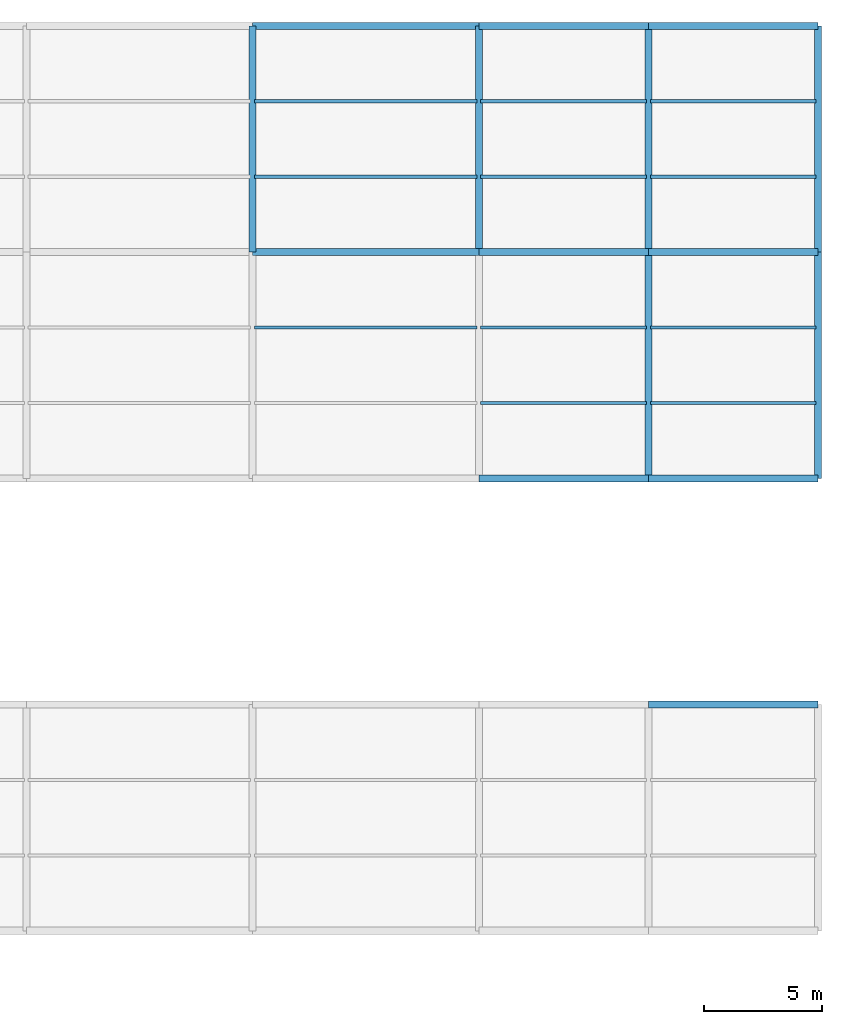
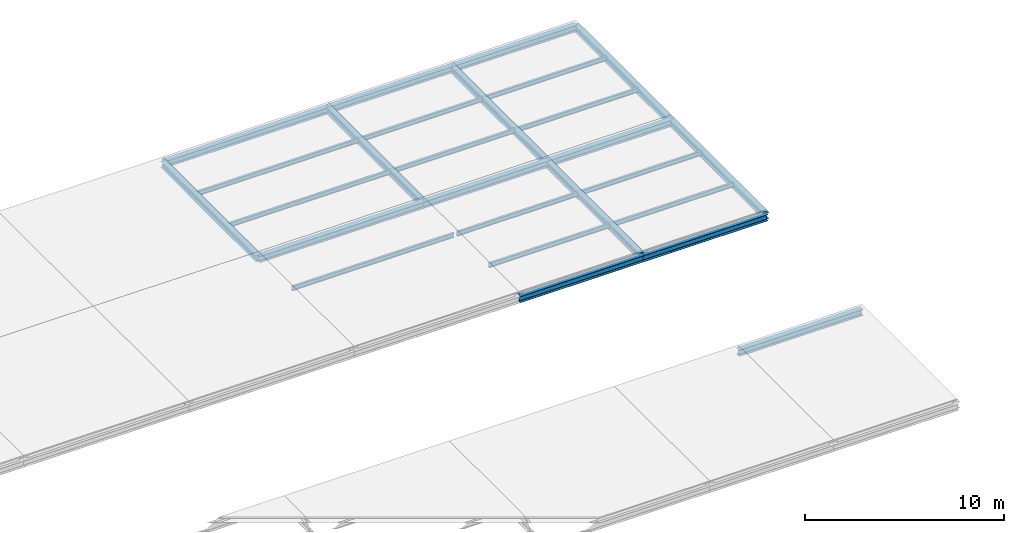
# One storey, part 72 of 120: 26 beams.
"""IFC4 building model written with IfcOpenShell, lengths in metres."""

from ifc_helpers import new_model, si_unit, direction, frame, origin, origin_2d, place, context, subcontext, project, spatial, i_section, extrude, material, material_profile, profile_set, type_object, element, save


model = new_model("IFC4")

# Units and contexts
model_context = context("Model", 3, precision=1e-05, world=origin(), true_north=direction((0.0, 1.0)))
body_context = subcontext(model_context, "Body", "Model", "MODEL_VIEW")
ifc_project = project(units=[si_unit("LENGTHUNIT", "METRE"), si_unit("AREAUNIT", "SQUARE_METRE"), si_unit("VOLUMEUNIT", "CUBIC_METRE"), si_unit("PLANEANGLEUNIT", "RADIAN"), si_unit("MASSUNIT", "GRAM", prefix="KILO")], contexts=[model_context])

# Site, building, storey
site_placement = place(None, origin())
site = spatial("IfcSite", under=ifc_project, at=site_placement, CompositionType="ELEMENT")
building_placement = place(site_placement, origin())
building = spatial("IfcBuilding", under=site, at=building_placement, Name="Zarnetskaya Central Station", CompositionType="ELEMENT")
storey_placement = place(building_placement, frame((0.0, 0.0, 5.39990234375)))
storey = spatial("IfcBuildingStorey", under=building, at=storey_placement, Name="L01", CompositionType="ELEMENT", Elevation=5.39990234375)

# Beams
ifc_material = material(Name="Steel S355", Category="steel")
ifc_material_profile_1 = material_profile(ifc_material, i_section(OverallWidth=0.135009765625, OverallDepth=0.27001953125, WebThickness=0.006591796875, FlangeThickness=0.01025390625, FilletRadius=0.014892578125, at=origin_2d()), Name="IPE 270")
ifc_profile_set_1 = profile_set([ifc_material_profile_1], Name="Steel S355")
beam_type_1 = type_object("IfcBeamType", Name="BM-JST-270", PredefinedType="JOIST", material=ifc_profile_set_1)
for number, where, z_axis, x_axis, name in (
    (1, (163.280029296875, 112.0, -0.294921875), (1.0, 0.0, 0.0), (0.0, 1.0, 0.0), "Secondary floor beam SEC-L01-Z524-TU-1314-2"),
    (2, (163.280029296875, 118.39990234375, -0.294921875), (1.0, 0.0, 0.0), (0.0, 1.0, 0.0), "Secondary floor beam SEC-L01-Z524-TU-1415-1"),
    (3, (163.280029296875, 121.60009765625, -0.294921875), (1.0, 0.0, 0.0), (0.0, 1.0, 0.0), "Secondary floor beam SEC-L01-Z524-TU-1415-2"),
):
    element("IfcBeam", number, at=place(storey_placement, frame(where, z_axis=z_axis, x_axis=x_axis)), inside=storey, type_object=beam_type_1, Name=name, PredefinedType="JOIST", context=body_context, shape_type="SweptSolid", body=[
        extrude(i_section(OverallWidth=0.135009765625, OverallDepth=0.27001953125, WebThickness=0.006591796875, FlangeThickness=0.01025390625, FilletRadius=0.014892578125, at=origin_2d()), origin(), (0.0, 0.0, 1.0), 9.43994140625),
    ])
for number, where, z_axis, x_axis, name in (
    (4, (172.8798828125, 108.800048828125, -0.294921875), (1.0, 0.0, 0.0), (0.0, 1.0, 0.0), "Secondary floor beam SEC-L01-Z524-UV-1314-1"),
    (5, (172.8798828125, 112.0, -0.294921875), (1.0, 0.0, 0.0), (0.0, 1.0, 0.0), "Secondary floor beam SEC-L01-Z524-UV-1314-2"),
    (6, (172.8798828125, 118.39990234375, -0.294921875), (1.0, 0.0, 0.0), (0.0, 1.0, 0.0), "Secondary floor beam SEC-L01-Z524-UV-1415-1"),
    (7, (172.8798828125, 121.60009765625, -0.294921875), (1.0, 0.0, 0.0), (0.0, 1.0, 0.0), "Secondary floor beam SEC-L01-Z524-UV-1415-2"),
    (8, (180.080078125, 108.800048828125, -0.294921875), (1.0, 0.0, 0.0), (0.0, 1.0, 0.0), "Secondary floor beam SEC-L01-Z524-VW-1314-1"),
    (9, (180.080078125, 112.0, -0.294921875), (1.0, 0.0, 0.0), (0.0, 1.0, 0.0), "Secondary floor beam SEC-L01-Z524-VW-1314-2"),
    (10, (180.080078125, 118.39990234375, -0.294921875), (1.0, 0.0, 0.0), (0.0, 1.0, 0.0), "Secondary floor beam SEC-L01-Z524-VW-1415-1"),
    (11, (180.080078125, 121.60009765625, -0.294921875), (1.0, 0.0, 0.0), (0.0, 1.0, 0.0), "Secondary floor beam SEC-L01-Z524-VW-1415-2"),
):
    element("IfcBeam", number, at=place(storey_placement, frame(where, z_axis=z_axis, x_axis=x_axis)), inside=storey, type_object=beam_type_1, Name=name, PredefinedType="JOIST", context=body_context, shape_type="SweptSolid", body=[
        extrude(i_section(OverallWidth=0.135009765625, OverallDepth=0.27001953125, WebThickness=0.006591796875, FlangeThickness=0.01025390625, FilletRadius=0.014892578125, at=origin_2d()), origin(), (0.0, 0.0, 1.0), 7.0400390625),
    ])
ifc_material_profile_2 = material_profile(ifc_material, i_section(OverallWidth=0.300048828125, OverallDepth=0.389892578125, WebThickness=0.010986328125, FlangeThickness=0.01904296875, FilletRadius=0.027099609375, at=origin_2d()), Name="HEA 400")
ifc_profile_set_2 = profile_set([ifc_material_profile_2], Name="Steel S355")
beam_type_2 = type_object("IfcBeamType", Name="GD-ROOF-400", PredefinedType="USERDEFINED", material=ifc_profile_set_2)
for number, where, z_axis, x_axis, name in (
    (12, (163.199951171875, 115.199951171875, -0.35498046875), (0.0, 1.0, 0.0), (-1.0, 0.0, 0.0), "Grid girder GY-L01-T-1415"),
    (13, (163.199951171875, 115.199951171875, -0.35498046875), (1.0, 0.0, 0.0), (0.0, 1.0, 0.0), "Grid girder GX-L01-14-TU"),
    (14, (163.199951171875, 124.800048828125, -0.35498046875), (1.0, 0.0, 0.0), (0.0, 1.0, 0.0), "Grid girder GX-L01-15-TU"),
):
    element("IfcBeam", number, at=place(storey_placement, frame(where, z_axis=z_axis, x_axis=x_axis)), inside=storey, type_object=beam_type_2, Name=name, ObjectType="GIRDER", PredefinedType="USERDEFINED", context=body_context, shape_type="SweptSolid", body=[
        extrude(i_section(OverallWidth=0.300048828125, OverallDepth=0.389892578125, WebThickness=0.010986328125, FlangeThickness=0.01904296875, FilletRadius=0.027099609375, at=origin_2d()), origin(), (0.0, 0.0, 1.0), 9.60009765625),
    ])
beam_1_placement = place(storey_placement, frame((172.800048828125, 105.60009765625, -0.35498046875), z_axis=(1.0, 0.0, 0.0), x_axis=(0.0, 1.0, 0.0)))
element("IfcBeam", 15, at=beam_1_placement, inside=storey, type_object=beam_type_2, Name="Grid girder GX-L01-13-UV", ObjectType="GIRDER", PredefinedType="USERDEFINED", context=body_context, shape_type="SweptSolid", body=[
    extrude(i_section(OverallWidth=0.300048828125, OverallDepth=0.389892578125, WebThickness=0.010986328125, FlangeThickness=0.01904296875, FilletRadius=0.027099609375, at=origin_2d()), origin(), (0.0, 0.0, 1.0), 7.199951171875),
])
beam_2_placement = place(storey_placement, frame((172.800048828125, 115.199951171875, -0.35498046875), z_axis=(0.0, 1.0, 0.0), x_axis=(-1.0, 0.0, 0.0)))
element("IfcBeam", 16, at=beam_2_placement, inside=storey, type_object=beam_type_2, Name="Grid girder GY-L01-U-1415", ObjectType="GIRDER", PredefinedType="USERDEFINED", context=body_context, shape_type="SweptSolid", body=[
    extrude(i_section(OverallWidth=0.300048828125, OverallDepth=0.389892578125, WebThickness=0.010986328125, FlangeThickness=0.01904296875, FilletRadius=0.027099609375, at=origin_2d()), origin(), (0.0, 0.0, 1.0), 9.60009765625),
])
for number, where, z_axis, x_axis, name in (
    (17, (172.800048828125, 115.199951171875, -0.35498046875), (1.0, 0.0, 0.0), (0.0, 1.0, 0.0), "Grid girder GX-L01-14-UV"),
    (18, (172.800048828125, 124.800048828125, -0.35498046875), (1.0, 0.0, 0.0), (0.0, 1.0, 0.0), "Grid girder GX-L01-15-UV"),
    (19, (180.0, 96.0, -0.35498046875), (1.0, 0.0, 0.0), (0.0, 1.0, 0.0), "Grid girder GX-L01-12-VW"),
):
    element("IfcBeam", number, at=place(storey_placement, frame(where, z_axis=z_axis, x_axis=x_axis)), inside=storey, type_object=beam_type_2, Name=name, ObjectType="GIRDER", PredefinedType="USERDEFINED", context=body_context, shape_type="SweptSolid", body=[
        extrude(i_section(OverallWidth=0.300048828125, OverallDepth=0.389892578125, WebThickness=0.010986328125, FlangeThickness=0.01904296875, FilletRadius=0.027099609375, at=origin_2d()), origin(), (0.0, 0.0, 1.0), 7.199951171875),
    ])
beam_3_placement = place(storey_placement, frame((180.0, 105.60009765625, -0.35498046875), z_axis=(0.0, 1.0, 0.0), x_axis=(-1.0, 0.0, 0.0)))
element("IfcBeam", 20, at=beam_3_placement, inside=storey, type_object=beam_type_2, Name="Grid girder GY-L01-V-1314", ObjectType="GIRDER", PredefinedType="USERDEFINED", context=body_context, shape_type="SweptSolid", body=[
    extrude(i_section(OverallWidth=0.300048828125, OverallDepth=0.389892578125, WebThickness=0.010986328125, FlangeThickness=0.01904296875, FilletRadius=0.027099609375, at=origin_2d()), origin(), (0.0, 0.0, 1.0), 9.599853515625),
])
beam_4_placement = place(storey_placement, frame((180.0, 105.60009765625, -0.35498046875), z_axis=(1.0, 0.0, 0.0), x_axis=(0.0, 1.0, 0.0)))
element("IfcBeam", 21, at=beam_4_placement, inside=storey, type_object=beam_type_2, Name="Grid girder GX-L01-13-VW", ObjectType="GIRDER", PredefinedType="USERDEFINED", context=body_context, shape_type="SweptSolid", body=[
    extrude(i_section(OverallWidth=0.300048828125, OverallDepth=0.389892578125, WebThickness=0.010986328125, FlangeThickness=0.01904296875, FilletRadius=0.027099609375, at=origin_2d()), origin(), (0.0, 0.0, 1.0), 7.199951171875),
])
beam_5_placement = place(storey_placement, frame((180.0, 115.199951171875, -0.35498046875), z_axis=(0.0, 1.0, 0.0), x_axis=(-1.0, 0.0, 0.0)))
element("IfcBeam", 22, at=beam_5_placement, inside=storey, type_object=beam_type_2, Name="Grid girder GY-L01-V-1415", ObjectType="GIRDER", PredefinedType="USERDEFINED", context=body_context, shape_type="SweptSolid", body=[
    extrude(i_section(OverallWidth=0.300048828125, OverallDepth=0.389892578125, WebThickness=0.010986328125, FlangeThickness=0.01904296875, FilletRadius=0.027099609375, at=origin_2d()), origin(), (0.0, 0.0, 1.0), 9.60009765625),
])
for number, where, z_axis, x_axis, name in (
    (23, (180.0, 115.199951171875, -0.35498046875), (1.0, 0.0, 0.0), (0.0, 1.0, 0.0), "Grid girder GX-L01-14-VW"),
    (24, (180.0, 124.800048828125, -0.35498046875), (1.0, 0.0, 0.0), (0.0, 1.0, 0.0), "Grid girder GX-L01-15-VW"),
):
    element("IfcBeam", number, at=place(storey_placement, frame(where, z_axis=z_axis, x_axis=x_axis)), inside=storey, type_object=beam_type_2, Name=name, ObjectType="GIRDER", PredefinedType="USERDEFINED", context=body_context, shape_type="SweptSolid", body=[
        extrude(i_section(OverallWidth=0.300048828125, OverallDepth=0.389892578125, WebThickness=0.010986328125, FlangeThickness=0.01904296875, FilletRadius=0.027099609375, at=origin_2d()), origin(), (0.0, 0.0, 1.0), 7.199951171875),
    ])
beam_6_placement = place(storey_placement, frame((187.199951171875, 105.60009765625, -0.35498046875), z_axis=(0.0, 1.0, 0.0), x_axis=(-1.0, 0.0, 0.0)))
element("IfcBeam", 25, at=beam_6_placement, inside=storey, type_object=beam_type_2, Name="Grid girder GY-L01-W-1314", ObjectType="GIRDER", PredefinedType="USERDEFINED", context=body_context, shape_type="SweptSolid", body=[
    extrude(i_section(OverallWidth=0.300048828125, OverallDepth=0.389892578125, WebThickness=0.010986328125, FlangeThickness=0.01904296875, FilletRadius=0.027099609375, at=origin_2d()), origin(), (0.0, 0.0, 1.0), 9.599853515625),
])
beam_7_placement = place(storey_placement, frame((187.199951171875, 115.199951171875, -0.35498046875), z_axis=(0.0, 1.0, 0.0), x_axis=(-1.0, 0.0, 0.0)))
element("IfcBeam", 26, at=beam_7_placement, inside=storey, type_object=beam_type_2, Name="Grid girder GY-L01-W-1415", ObjectType="GIRDER", PredefinedType="USERDEFINED", context=body_context, shape_type="SweptSolid", body=[
    extrude(i_section(OverallWidth=0.300048828125, OverallDepth=0.389892578125, WebThickness=0.010986328125, FlangeThickness=0.01904296875, FilletRadius=0.027099609375, at=origin_2d()), origin(), (0.0, 0.0, 1.0), 9.60009765625),
])

save(model, "model.ifc")
